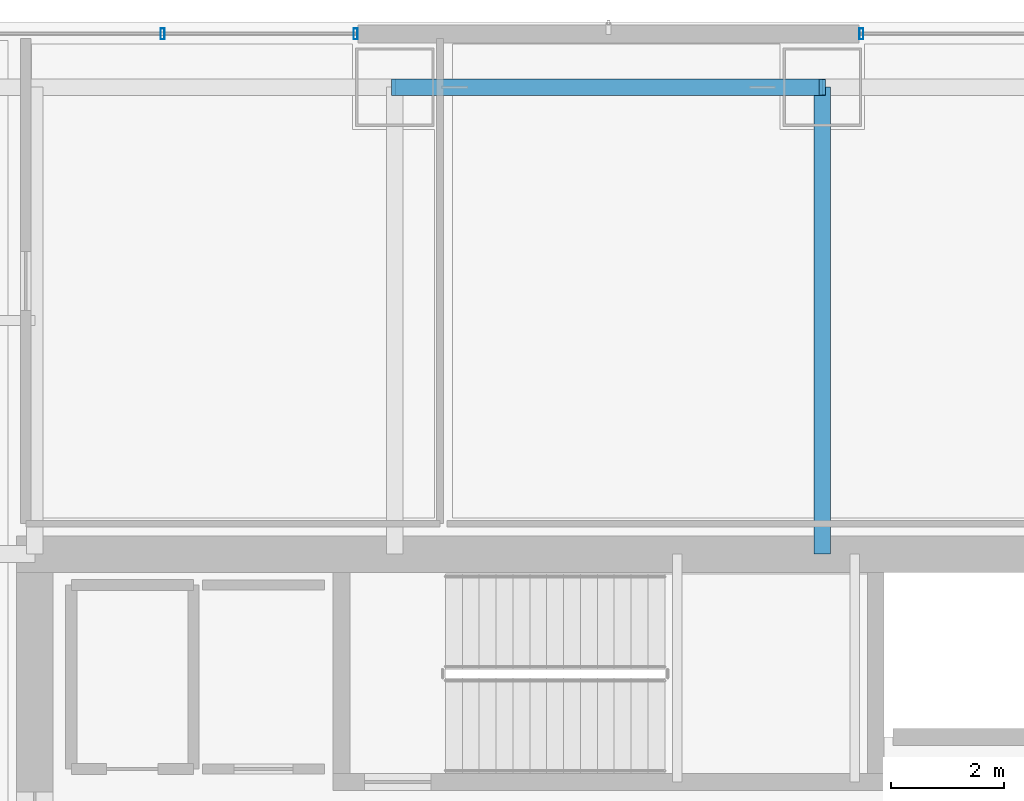
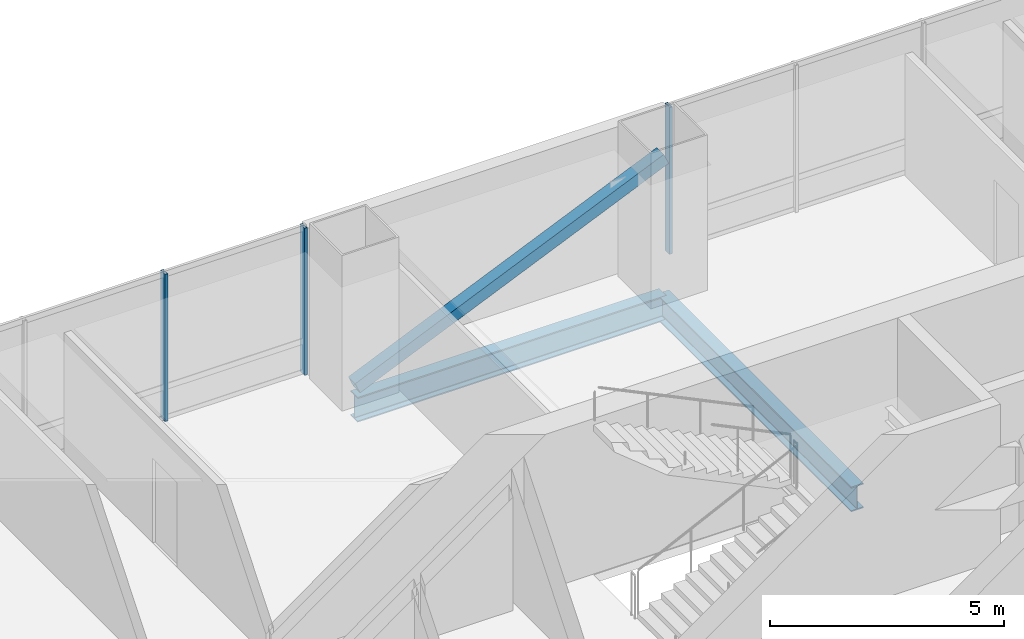
# One storey, part 22 of 38: 4 members, 2 beams, 2 elements without a shape of their own.
"""IFC4 building model written with IfcOpenShell, lengths in metres."""

from ifc_helpers import new_model, si_unit, direction, frame, origin, origin_2d, place, context, subcontext, project, spatial, hollow_rectangle, i_section, extrude, material, material_profile, profile_set, type_object, element, aggregate, save


model = new_model("IFC4")

# Units and contexts
model_context = context("Model", 3, precision=1e-05, world=origin(), true_north=direction((0.0, 1.0)))
body_context = subcontext(model_context, "Body", "Model", "MODEL_VIEW")
ifc_project = project(units=[si_unit("LENGTHUNIT", "METRE"), si_unit("AREAUNIT", "SQUARE_METRE"), si_unit("VOLUMEUNIT", "CUBIC_METRE"), si_unit("PLANEANGLEUNIT", "RADIAN"), si_unit("MASSUNIT", "GRAM", prefix="KILO")], contexts=[model_context])

# Site, building, storey
site_placement = place(None, origin())
site = spatial("IfcSite", under=ifc_project, at=site_placement, CompositionType="ELEMENT")
building_placement = place(site_placement, origin())
building = spatial("IfcBuilding", under=site, at=building_placement, Name="Punatoya Terracotta Tower", CompositionType="ELEMENT")
storey_placement = place(building_placement, frame((0.0, 0.0, 188.39990234375)))
storey = spatial("IfcBuildingStorey", under=building, at=storey_placement, Name="L44", CompositionType="ELEMENT", Elevation=188.39990234375)

# Beams
ifc_material_1 = material(Name="Steel S355", Category="steel")
ifc_material_profile_1 = material_profile(ifc_material_1, i_section(OverallWidth=0.300048828125, OverallDepth=0.64990234375, WebThickness=0.01611328125, FlangeThickness=0.031005859375, FilletRadius=0.01806640625, at=origin_2d()))
ifc_profile_set_1 = profile_set([ifc_material_profile_1], Name="Steel S355")
beam_type = type_object("IfcBeamType", Name="BM-PRI-650", PredefinedType="BEAM", material=ifc_profile_set_1)
beam_1_placement = place(storey_placement, frame((-3.800048828125, 17.5, -0.544921875), z_axis=(1.0, 0.0, 0.0), x_axis=(0.0, 1.0, 0.0)))
element("IfcBeam", 1, at=beam_1_placement, inside=storey, type_object=beam_type, Name="BM-L44-RG-N2", PredefinedType="BEAM", context=body_context, shape_type="SweptSolid", body=[
    extrude(i_section(OverallWidth=0.300048828125, OverallDepth=0.64990234375, WebThickness=0.01611328125, FlangeThickness=0.031005859375, FilletRadius=0.01806640625, at=origin_2d()), origin(), (0.0, 0.0, 1.0), 7.60009765625),
])
beam_2_placement = place(storey_placement, frame((3.800048828125, 9.199951171875, -0.544921875), z_axis=(0.0, 1.0, 0.0), x_axis=(-1.0, 0.0, 0.0)))
element("IfcBeam", 2, at=beam_2_placement, inside=storey, type_object=beam_type, Name="BM-L44-PR-N3", PredefinedType="BEAM", context=body_context, shape_type="SweptSolid", body=[
    extrude(i_section(OverallWidth=0.300048828125, OverallDepth=0.64990234375, WebThickness=0.01611328125, FlangeThickness=0.031005859375, FilletRadius=0.01806640625, at=origin_2d()), origin(), (0.0, 0.0, 1.0), 8.300048828125),
])

# Curtain wall, member
ifc_material_2 = material(Name="Aluminium 6063-T6 + Double Low-E Glass", Category="aluminium")
curtain_wall_type = type_object("IfcCurtainWallType", Name="CW-M2", PredefinedType="NOTDEFINED", material=ifc_material_2)
curtain_wall_1_placement = place(storey_placement, origin())
curtain_wall_1 = element("IfcCurtainWall", 3, at=curtain_wall_1_placement, inside=storey, type_object=curtain_wall_type, Name="L44 Curtain Wall CW-L44-N09-1", PredefinedType="NOTDEFINED")
ifc_material_3 = material(Name="Aluminium 6063-T6", Category="aluminium")
ifc_material_profile_2 = material_profile(ifc_material_3, hollow_rectangle(XDim=0.072021484375, YDim=0.195068359375, WallThickness=0.00439453125, at=origin_2d()))
ifc_profile_set_2 = profile_set([ifc_material_profile_2], Name="Aluminium 6063-T6")
member_type_1 = type_object("IfcMemberType", Name="CW-MUL-M2", PredefinedType="MULLION", material=ifc_profile_set_2)
member_1_placement = place(storey_placement, frame((4.4951171875, 18.449951171875, 0.0), z_axis=(0.0, 0.0, 1.0), x_axis=(1.0, 0.0, 0.0)))
member_1 = element("IfcMember", 4, at=member_1_placement, type_object=member_type_1, Name="CW-L44-N09-1 Mullion 04", PredefinedType="MULLION", context=body_context, shape_type="SweptSolid", body=[
    extrude(hollow_rectangle(XDim=0.072021484375, YDim=0.195068359375, WallThickness=0.00439453125, at=origin_2d()), origin(), (0.0, 0.0, 1.0), 3.830078125),
])
aggregate(curtain_wall_1, [member_1])

# Curtain wall, members
curtain_wall_2_placement = place(storey_placement, origin())
curtain_wall_2 = element("IfcCurtainWall", 5, at=curtain_wall_2_placement, inside=storey, type_object=curtain_wall_type, Name="L44 Curtain Wall CW-L44-N09-2", PredefinedType="NOTDEFINED")
member_2_placement = place(storey_placement, frame((-4.4951171875, 18.449951171875, 0.0), z_axis=(0.0, 0.0, 1.0), x_axis=(1.0, 0.0, 0.0)))
member_2 = element("IfcMember", 6, at=member_2_placement, type_object=member_type_1, Name="CW-L44-N09-2 Mullion 00", PredefinedType="MULLION", context=body_context, shape_type="SweptSolid", body=[
    extrude(hollow_rectangle(XDim=0.072021484375, YDim=0.195068359375, WallThickness=0.00439453125, at=origin_2d()), origin(), (0.0, 0.0, 1.0), 3.830078125),
])
member_3_placement = place(storey_placement, frame((-7.927490234375, 18.449951171875, 0.0), z_axis=(0.0, 0.0, 1.0), x_axis=(1.0, 0.0, 0.0)))
member_3 = element("IfcMember", 7, at=member_3_placement, type_object=member_type_1, Name="CW-L44-N09-2 Mullion 01", PredefinedType="MULLION", context=body_context, shape_type="SweptSolid", body=[
    extrude(hollow_rectangle(XDim=0.072021484375, YDim=0.195068359375, WallThickness=0.00439453125, at=origin_2d()), origin(), (0.0, 0.0, 1.0), 3.830078125),
])
aggregate(curtain_wall_2, [member_2, member_3])

# Member
ifc_material_profile_3 = material_profile(ifc_material_1, hollow_rectangle(XDim=0.300048828125, YDim=0.300048828125, WallThickness=0.01611328125, at=origin_2d()))
ifc_profile_set_3 = profile_set([ifc_material_profile_3], Name="Steel S355")
member_type_2 = type_object("IfcMemberType", Name="MEM-WND-300", PredefinedType="BRACE", material=ifc_profile_set_3)
member_4_placement = place(storey_placement, frame((-3.800048828125, 17.5, 0.02001953125), z_axis=(0.916819844003, 0.0, 0.399301106489), x_axis=(0.0, 1.0, 0.0)))
element("IfcMember", 8, at=member_4_placement, inside=storey, type_object=member_type_2, Name="L44 Perimeter Wind Brace N2", PredefinedType="BRACE", context=body_context, shape_type="SweptSolid", body=[
    extrude(hollow_rectangle(XDim=0.300048828125, YDim=0.300048828125, WallThickness=0.01611328125, at=origin_2d()), origin(), (0.0, 0.0, 1.0), 8.28955078125),
])

save(model, "model.ifc")
